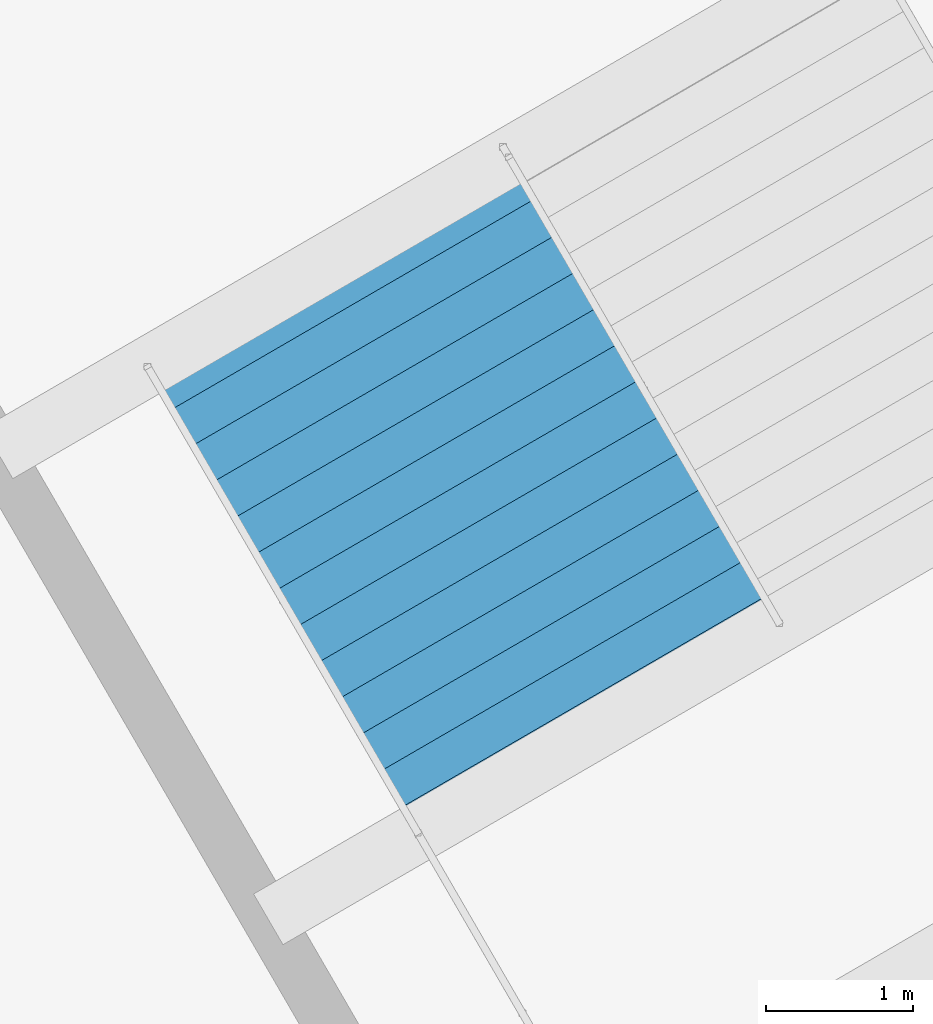
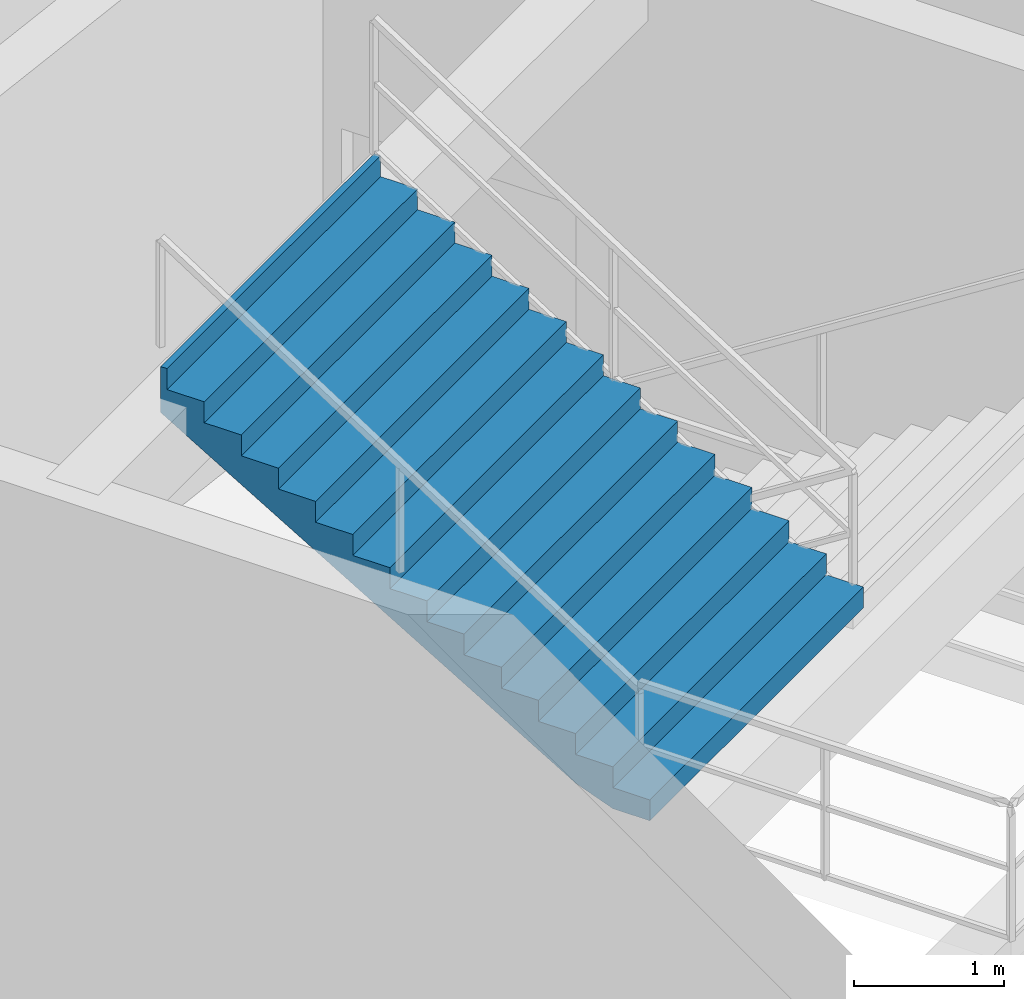
# One storey, part 118 of 156: 1 stair flight, 1 element without a shape of its own.
"""IFC4 building model written with IfcOpenShell, lengths in metres."""

from ifc_helpers import new_model, si_unit, direction, frame, origin, place, context, subcontext, project, spatial, polygons, material, type_object, element, aggregate, save


model = new_model("IFC4")

# Units and contexts
model_context = context("Model", 3, precision=1e-05, world=origin(), true_north=direction((0.0, 1.0)))
body_context = subcontext(model_context, "Body", "Model", "MODEL_VIEW")
ifc_project = project(units=[si_unit("LENGTHUNIT", "METRE"), si_unit("AREAUNIT", "SQUARE_METRE"), si_unit("VOLUMEUNIT", "CUBIC_METRE"), si_unit("PLANEANGLEUNIT", "RADIAN"), si_unit("MASSUNIT", "GRAM", prefix="KILO")], contexts=[model_context])

# Site, building, storey
site_placement = place(None, origin())
site = spatial("IfcSite", under=ifc_project, at=site_placement, CompositionType="ELEMENT")
building_placement = place(site_placement, origin())
building = spatial("IfcBuilding", under=site, at=building_placement, Name="Kazemori Nagisa Stadium", CompositionType="ELEMENT")
storey_placement = place(building_placement, frame((0.0, 0.0, 5.780029296875)))
storey = spatial("IfcBuildingStorey", under=building, at=storey_placement, Name="L01", CompositionType="ELEMENT", Elevation=5.780029296875)

# Stair, stair flight
ifc_material = material(Name="Concrete C36/45 (Fc36)", Category="concrete")
stair_type = type_object("IfcStairType", Name="Stair_CORE_28", PredefinedType="TWO_STRAIGHT_RUN_STAIR", material=ifc_material)
stair_placement = place(storey_placement, origin())
stair = element("IfcStair", 1, at=stair_placement, inside=storey, type_object=stair_type, Name="Exit stair ST09 L01", PredefinedType="TWO_STRAIGHT_RUN_STAIR")
stair_flight_type = type_object("IfcStairFlightType", Name="Flight_CORE_14", PredefinedType="STRAIGHT", material=ifc_material)
stair_flight_placement = place(storey_placement, frame((43.0439453125, 58.80322265625, 2.3798828125), z_axis=(0.0, 0.0, 1.0), x_axis=(-0.501656947, 0.865066649182, 0.0)))
stair_flight = element("IfcStairFlight", 2, at=stair_flight_placement, type_object=stair_flight_type, Name="Exit stair ST09 L01 flight 2", NumberOfRisers=14, NumberOfTreads=13, PredefinedType="STRAIGHT", RiserHeight=0.17, TreadLength=0.285, context=body_context, shape_type="Tessellation", body=[
    polygons([(0.0, -1.425048828125, 0.0), (0.0, -1.425048828125, 0.169921875), (0.284912109375, -1.425048828125, 0.169921875), (0.284912109375, -1.425048828125, 0.340087890625), (0.570068359375, -1.425048828125, 0.340087890625), (0.570068359375, -1.425048828125, 0.510009765625), (0.85498046875, -1.425048828125, 0.510009765625), (0.85498046875, -1.425048828125, 0.679931640625), (1.139892578125, -1.425048828125, 0.679931640625), (1.139892578125, -1.425048828125, 0.85009765625), (1.425048828125, -1.425048828125, 0.85009765625), (1.425048828125, -1.425048828125, 1.02001953125), (1.7099609375, -1.425048828125, 1.02001953125), (1.7099609375, -1.425048828125, 1.18994140625), (1.9951171875, -1.425048828125, 1.18994140625), (1.9951171875, -1.425048828125, 1.360107421875), (2.280029296875, -1.425048828125, 1.360107421875), (2.280029296875, -1.425048828125, 1.530029296875), (2.56494140625, -1.425048828125, 1.530029296875), (2.56494140625, -1.425048828125, 1.699951171875), (2.85009765625, -1.425048828125, 1.699951171875), (2.85009765625, -1.425048828125, 1.8701171875), (3.135009765625, -1.425048828125, 1.8701171875), (3.135009765625, -1.425048828125, 2.0400390625), (3.419921875, -1.425048828125, 2.0400390625), (3.419921875, -1.425048828125, 2.2099609375), (3.705078125, -1.425048828125, 2.2099609375), (3.705078125, -1.425048828125, 2.3798828125), (3.7548828125, -1.425048828125, 2.3798828125), (3.7548828125, -1.425048828125, 2.007080078125), (3.705078125, -1.425048828125, 1.977294921875), (3.419921875, -1.425048828125, 1.80712890625), (3.135009765625, -1.425048828125, 1.63720703125), (2.85009765625, -1.425048828125, 1.46728515625), (2.56494140625, -1.425048828125, 1.297119140625), (2.280029296875, -1.425048828125, 1.127197265625), (1.9951171875, -1.425048828125, 0.957275390625), (1.7099609375, -1.425048828125, 0.787109375), (1.425048828125, -1.425048828125, 0.6171875), (1.139892578125, -1.425048828125, 0.447265625), (0.85498046875, -1.425048828125, 0.277099609375), (0.570068359375, -1.425048828125, 0.107177734375), (0.284912109375, -1.425048828125, 0.0), (0.0, -0.08544921875, 0.0), (0.0, -0.08544921875, 0.169921875), (0.284912109375, -0.08544921875, 0.169921875), (0.284912109375, -0.08544921875, 0.340087890625), (0.570068359375, -0.08544921875, 0.340087890625), (0.570068359375, -0.08544921875, 0.510009765625), (0.85498046875, -0.08544921875, 0.510009765625), (0.85498046875, -0.08544921875, 0.679931640625), (1.139892578125, -0.08544921875, 0.679931640625), (1.139892578125, -0.08544921875, 0.85009765625), (1.425048828125, -0.08544921875, 0.85009765625), (1.425048828125, -0.08544921875, 1.02001953125), (1.7099609375, -0.08544921875, 1.02001953125), (1.7099609375, -0.08544921875, 1.18994140625), (1.9951171875, -0.08544921875, 1.18994140625), (1.9951171875, -0.08544921875, 1.360107421875), (2.280029296875, -0.08544921875, 1.360107421875), (2.280029296875, -0.08544921875, 1.530029296875), (2.56494140625, -0.08544921875, 1.530029296875), (2.56494140625, -0.08544921875, 1.699951171875), (2.85009765625, -0.08544921875, 1.699951171875), (2.85009765625, -0.08544921875, 1.8701171875), (3.135009765625, -0.08544921875, 1.8701171875), (3.135009765625, -0.08544921875, 2.0400390625), (3.419921875, -0.08544921875, 2.0400390625), (3.419921875, -0.08544921875, 2.2099609375), (3.705078125, -0.08544921875, 2.2099609375), (3.705078125, -0.08544921875, 2.3798828125), (3.7548828125, -0.08544921875, 2.3798828125), (3.7548828125, -0.08544921875, 2.007080078125), (3.705078125, -0.08544921875, 1.977294921875), (3.419921875, -0.08544921875, 1.80712890625), (3.135009765625, -0.08544921875, 1.63720703125), (2.85009765625, -0.08544921875, 1.46728515625), (2.56494140625, -0.08544921875, 1.297119140625), (2.280029296875, -0.08544921875, 1.127197265625), (1.9951171875, -0.08544921875, 0.957275390625), (1.7099609375, -0.08544921875, 0.787109375), (1.425048828125, -0.08544921875, 0.6171875), (1.139892578125, -0.08544921875, 0.447265625), (0.85498046875, -0.08544921875, 0.277099609375), (0.570068359375, -0.08544921875, 0.107177734375), (0.284912109375, -0.08544921875, 0.0), (0.0, 0.0, 0.0), (0.0, 0.0, 0.169921875), (0.284912109375, 0.0, 0.169921875), (0.284912109375, 0.0, 0.340087890625), (0.570068359375, 0.0, 0.340087890625), (0.570068359375, 0.0, 0.510009765625), (0.85498046875, 0.0, 0.510009765625), (0.85498046875, 0.0, 0.679931640625), (1.139892578125, 0.0, 0.679931640625), (1.139892578125, 0.0, 0.85009765625), (1.425048828125, 0.0, 0.85009765625), (1.425048828125, 0.0, 1.02001953125), (1.7099609375, 0.0, 1.02001953125), (1.7099609375, 0.0, 1.18994140625), (1.9951171875, 0.0, 1.18994140625), (1.9951171875, 0.0, 1.360107421875), (2.280029296875, 0.0, 1.360107421875), (2.280029296875, 0.0, 1.530029296875), (2.56494140625, 0.0, 1.530029296875), (2.56494140625, 0.0, 1.699951171875), (2.85009765625, 0.0, 1.699951171875), (2.85009765625, 0.0, 1.8701171875), (3.135009765625, 0.0, 1.8701171875), (3.135009765625, 0.0, 2.0400390625), (3.419921875, 0.0, 2.0400390625), (3.419921875, 0.0, 2.2099609375), (3.705078125, 0.0, 2.2099609375), (3.705078125, 0.0, 2.3798828125), (3.7548828125, 0.0, 2.3798828125), (3.7548828125, 0.0, 2.007080078125), (3.705078125, 0.0, 1.977294921875), (3.419921875, 0.0, 1.80712890625), (3.135009765625, 0.0, 1.63720703125), (2.85009765625, 0.0, 1.46728515625), (2.56494140625, 0.0, 1.297119140625), (2.280029296875, 0.0, 1.127197265625), (1.9951171875, 0.0, 0.957275390625), (1.7099609375, 0.0, 0.787109375), (1.425048828125, 0.0, 0.6171875), (1.139892578125, 0.0, 0.447265625), (0.85498046875, 0.0, 0.277099609375), (0.570068359375, 0.0, 0.107177734375), (0.284912109375, 0.0, 0.0), (0.0, 0.08544921875, 0.0), (0.0, 0.08544921875, 0.169921875), (0.284912109375, 0.08544921875, 0.169921875), (0.284912109375, 0.08544921875, 0.340087890625), (0.570068359375, 0.08544921875, 0.340087890625), (0.570068359375, 0.08544921875, 0.510009765625), (0.85498046875, 0.08544921875, 0.510009765625), (0.85498046875, 0.08544921875, 0.679931640625), (1.139892578125, 0.08544921875, 0.679931640625), (1.139892578125, 0.08544921875, 0.85009765625), (1.425048828125, 0.08544921875, 0.85009765625), (1.425048828125, 0.08544921875, 1.02001953125), (1.7099609375, 0.08544921875, 1.02001953125), (1.7099609375, 0.08544921875, 1.18994140625), (1.9951171875, 0.08544921875, 1.18994140625), (1.9951171875, 0.08544921875, 1.360107421875), (2.280029296875, 0.08544921875, 1.360107421875), (2.280029296875, 0.08544921875, 1.530029296875), (2.56494140625, 0.08544921875, 1.530029296875), (2.56494140625, 0.08544921875, 1.699951171875), (2.85009765625, 0.08544921875, 1.699951171875), (2.85009765625, 0.08544921875, 1.8701171875), (3.135009765625, 0.08544921875, 1.8701171875), (3.135009765625, 0.08544921875, 2.0400390625), (3.419921875, 0.08544921875, 2.0400390625), (3.419921875, 0.08544921875, 2.2099609375), (3.705078125, 0.08544921875, 2.2099609375), (3.705078125, 0.08544921875, 2.3798828125), (3.7548828125, 0.08544921875, 2.3798828125), (3.7548828125, 0.08544921875, 2.007080078125), (3.705078125, 0.08544921875, 1.977294921875), (3.419921875, 0.08544921875, 1.80712890625), (3.135009765625, 0.08544921875, 1.63720703125), (2.85009765625, 0.08544921875, 1.46728515625), (2.56494140625, 0.08544921875, 1.297119140625), (2.280029296875, 0.08544921875, 1.127197265625), (1.9951171875, 0.08544921875, 0.957275390625), (1.7099609375, 0.08544921875, 0.787109375), (1.425048828125, 0.08544921875, 0.6171875), (1.139892578125, 0.08544921875, 0.447265625), (0.85498046875, 0.08544921875, 0.277099609375), (0.570068359375, 0.08544921875, 0.107177734375), (0.284912109375, 0.08544921875, 0.0), (0.0, 1.425048828125, 0.0), (0.0, 1.425048828125, 0.169921875), (0.284912109375, 1.425048828125, 0.169921875), (0.284912109375, 1.425048828125, 0.340087890625), (0.570068359375, 1.425048828125, 0.340087890625), (0.570068359375, 1.425048828125, 0.510009765625), (0.85498046875, 1.425048828125, 0.510009765625), (0.85498046875, 1.425048828125, 0.679931640625), (1.139892578125, 1.425048828125, 0.679931640625), (1.139892578125, 1.425048828125, 0.85009765625), (1.425048828125, 1.425048828125, 0.85009765625), (1.425048828125, 1.425048828125, 1.02001953125), (1.7099609375, 1.425048828125, 1.02001953125), (1.7099609375, 1.425048828125, 1.18994140625), (1.9951171875, 1.425048828125, 1.18994140625), (1.9951171875, 1.425048828125, 1.360107421875), (2.280029296875, 1.425048828125, 1.360107421875), (2.280029296875, 1.425048828125, 1.530029296875), (2.56494140625, 1.425048828125, 1.530029296875), (2.56494140625, 1.425048828125, 1.699951171875), (2.85009765625, 1.425048828125, 1.699951171875), (2.85009765625, 1.425048828125, 1.8701171875), (3.135009765625, 1.425048828125, 1.8701171875), (3.135009765625, 1.425048828125, 2.0400390625), (3.419921875, 1.425048828125, 2.0400390625), (3.419921875, 1.425048828125, 2.2099609375), (3.705078125, 1.425048828125, 2.2099609375), (3.705078125, 1.425048828125, 2.3798828125), (3.7548828125, 1.425048828125, 2.3798828125), (3.7548828125, 1.425048828125, 2.007080078125), (3.705078125, 1.425048828125, 1.977294921875), (3.419921875, 1.425048828125, 1.80712890625), (3.135009765625, 1.425048828125, 1.63720703125), (2.85009765625, 1.425048828125, 1.46728515625), (2.56494140625, 1.425048828125, 1.297119140625), (2.280029296875, 1.425048828125, 1.127197265625), (1.9951171875, 1.425048828125, 0.957275390625), (1.7099609375, 1.425048828125, 0.787109375), (1.425048828125, 1.425048828125, 0.6171875), (1.139892578125, 1.425048828125, 0.447265625), (0.85498046875, 1.425048828125, 0.277099609375), (0.570068359375, 1.425048828125, 0.107177734375), (0.284912109375, 1.425048828125, 0.0)], [[[1, 2, 45]], [[1, 45, 44]], [[2, 3, 46]], [[2, 46, 45]], [[3, 4, 47]], [[3, 47, 46]], [[4, 5, 48]], [[4, 48, 47]], [[5, 6, 49]], [[5, 49, 48]], [[6, 7, 50]], [[6, 50, 49]], [[7, 8, 51]], [[7, 51, 50]], [[8, 9, 52]], [[8, 52, 51]], [[9, 10, 53]], [[9, 53, 52]], [[10, 11, 54]], [[10, 54, 53]], [[11, 12, 55]], [[11, 55, 54]], [[12, 13, 56]], [[12, 56, 55]], [[13, 14, 57]], [[13, 57, 56]], [[14, 15, 58]], [[14, 58, 57]], [[15, 16, 59]], [[15, 59, 58]], [[16, 17, 60]], [[16, 60, 59]], [[17, 18, 61]], [[17, 61, 60]], [[18, 19, 62]], [[18, 62, 61]], [[19, 20, 63]], [[19, 63, 62]], [[20, 21, 64]], [[20, 64, 63]], [[21, 22, 65]], [[21, 65, 64]], [[22, 23, 66]], [[22, 66, 65]], [[23, 24, 67]], [[23, 67, 66]], [[24, 25, 68]], [[24, 68, 67]], [[25, 26, 69]], [[25, 69, 68]], [[26, 27, 70]], [[26, 70, 69]], [[27, 28, 71]], [[27, 71, 70]], [[28, 29, 72]], [[28, 72, 71]], [[29, 30, 73]], [[29, 73, 72]], [[30, 31, 74]], [[30, 74, 73]], [[31, 32, 75]], [[31, 75, 74]], [[32, 33, 76]], [[32, 76, 75]], [[33, 34, 77]], [[33, 77, 76]], [[34, 35, 78]], [[34, 78, 77]], [[35, 36, 79]], [[35, 79, 78]], [[36, 37, 80]], [[36, 80, 79]], [[37, 38, 81]], [[37, 81, 80]], [[38, 39, 82]], [[38, 82, 81]], [[39, 40, 83]], [[39, 83, 82]], [[40, 41, 84]], [[40, 84, 83]], [[41, 42, 85]], [[41, 85, 84]], [[42, 43, 86]], [[42, 86, 85]], [[43, 1, 44]], [[43, 44, 86]], [[44, 45, 88]], [[44, 88, 87]], [[45, 46, 89]], [[45, 89, 88]], [[46, 47, 90]], [[46, 90, 89]], [[47, 48, 91]], [[47, 91, 90]], [[48, 49, 92]], [[48, 92, 91]], [[49, 50, 93]], [[49, 93, 92]], [[50, 51, 94]], [[50, 94, 93]], [[51, 52, 95]], [[51, 95, 94]], [[52, 53, 96]], [[52, 96, 95]], [[53, 54, 97]], [[53, 97, 96]], [[54, 55, 98]], [[54, 98, 97]], [[55, 56, 99]], [[55, 99, 98]], [[56, 57, 100]], [[56, 100, 99]], [[57, 58, 101]], [[57, 101, 100]], [[58, 59, 102]], [[58, 102, 101]], [[59, 60, 103]], [[59, 103, 102]], [[60, 61, 104]], [[60, 104, 103]], [[61, 62, 105]], [[61, 105, 104]], [[62, 63, 106]], [[62, 106, 105]], [[63, 64, 107]], [[63, 107, 106]], [[64, 65, 108]], [[64, 108, 107]], [[65, 66, 109]], [[65, 109, 108]], [[66, 67, 110]], [[66, 110, 109]], [[67, 68, 111]], [[67, 111, 110]], [[68, 69, 112]], [[68, 112, 111]], [[69, 70, 113]], [[69, 113, 112]], [[70, 71, 114]], [[70, 114, 113]], [[71, 72, 115]], [[71, 115, 114]], [[72, 73, 116]], [[72, 116, 115]], [[73, 74, 117]], [[73, 117, 116]], [[74, 75, 118]], [[74, 118, 117]], [[75, 76, 119]], [[75, 119, 118]], [[76, 77, 120]], [[76, 120, 119]], [[77, 78, 121]], [[77, 121, 120]], [[78, 79, 122]], [[78, 122, 121]], [[79, 80, 123]], [[79, 123, 122]], [[80, 81, 124]], [[80, 124, 123]], [[81, 82, 125]], [[81, 125, 124]], [[82, 83, 126]], [[82, 126, 125]], [[83, 84, 127]], [[83, 127, 126]], [[84, 85, 128]], [[84, 128, 127]], [[85, 86, 129]], [[85, 129, 128]], [[86, 44, 87]], [[86, 87, 129]], [[87, 88, 131]], [[87, 131, 130]], [[88, 89, 132]], [[88, 132, 131]], [[89, 90, 133]], [[89, 133, 132]], [[90, 91, 134]], [[90, 134, 133]], [[91, 92, 135]], [[91, 135, 134]], [[92, 93, 136]], [[92, 136, 135]], [[93, 94, 137]], [[93, 137, 136]], [[94, 95, 138]], [[94, 138, 137]], [[95, 96, 139]], [[95, 139, 138]], [[96, 97, 140]], [[96, 140, 139]], [[97, 98, 141]], [[97, 141, 140]], [[98, 99, 142]], [[98, 142, 141]], [[99, 100, 143]], [[99, 143, 142]], [[100, 101, 144]], [[100, 144, 143]], [[101, 102, 145]], [[101, 145, 144]], [[102, 103, 146]], [[102, 146, 145]], [[103, 104, 147]], [[103, 147, 146]], [[104, 105, 148]], [[104, 148, 147]], [[105, 106, 149]], [[105, 149, 148]], [[106, 107, 150]], [[106, 150, 149]], [[107, 108, 151]], [[107, 151, 150]], [[108, 109, 152]], [[108, 152, 151]], [[109, 110, 153]], [[109, 153, 152]], [[110, 111, 154]], [[110, 154, 153]], [[111, 112, 155]], [[111, 155, 154]], [[112, 113, 156]], [[112, 156, 155]], [[113, 114, 157]], [[113, 157, 156]], [[114, 115, 158]], [[114, 158, 157]], [[115, 116, 159]], [[115, 159, 158]], [[116, 117, 160]], [[116, 160, 159]], [[117, 118, 161]], [[117, 161, 160]], [[118, 119, 162]], [[118, 162, 161]], [[119, 120, 163]], [[119, 163, 162]], [[120, 121, 164]], [[120, 164, 163]], [[121, 122, 165]], [[121, 165, 164]], [[122, 123, 166]], [[122, 166, 165]], [[123, 124, 167]], [[123, 167, 166]], [[124, 125, 168]], [[124, 168, 167]], [[125, 126, 169]], [[125, 169, 168]], [[126, 127, 170]], [[126, 170, 169]], [[127, 128, 171]], [[127, 171, 170]], [[128, 129, 172]], [[128, 172, 171]], [[129, 87, 130]], [[129, 130, 172]], [[130, 131, 174]], [[130, 174, 173]], [[131, 132, 175]], [[131, 175, 174]], [[132, 133, 176]], [[132, 176, 175]], [[133, 134, 177]], [[133, 177, 176]], [[134, 135, 178]], [[134, 178, 177]], [[135, 136, 179]], [[135, 179, 178]], [[136, 137, 180]], [[136, 180, 179]], [[137, 138, 181]], [[137, 181, 180]], [[138, 139, 182]], [[138, 182, 181]], [[139, 140, 183]], [[139, 183, 182]], [[140, 141, 184]], [[140, 184, 183]], [[141, 142, 185]], [[141, 185, 184]], [[142, 143, 186]], [[142, 186, 185]], [[143, 144, 187]], [[143, 187, 186]], [[144, 145, 188]], [[144, 188, 187]], [[145, 146, 189]], [[145, 189, 188]], [[146, 147, 190]], [[146, 190, 189]], [[147, 148, 191]], [[147, 191, 190]], [[148, 149, 192]], [[148, 192, 191]], [[149, 150, 193]], [[149, 193, 192]], [[150, 151, 194]], [[150, 194, 193]], [[151, 152, 195]], [[151, 195, 194]], [[152, 153, 196]], [[152, 196, 195]], [[153, 154, 197]], [[153, 197, 196]], [[154, 155, 198]], [[154, 198, 197]], [[155, 156, 199]], [[155, 199, 198]], [[156, 157, 200]], [[156, 200, 199]], [[157, 158, 201]], [[157, 201, 200]], [[158, 159, 202]], [[158, 202, 201]], [[159, 160, 203]], [[159, 203, 202]], [[160, 161, 204]], [[160, 204, 203]], [[161, 162, 205]], [[161, 205, 204]], [[162, 163, 206]], [[162, 206, 205]], [[163, 164, 207]], [[163, 207, 206]], [[164, 165, 208]], [[164, 208, 207]], [[165, 166, 209]], [[165, 209, 208]], [[166, 167, 210]], [[166, 210, 209]], [[167, 168, 211]], [[167, 211, 210]], [[168, 169, 212]], [[168, 212, 211]], [[169, 170, 213]], [[169, 213, 212]], [[170, 171, 214]], [[170, 214, 213]], [[171, 172, 215]], [[171, 215, 214]], [[172, 130, 173]], [[172, 173, 215]], [[3, 2, 1]], [[173, 174, 175]], [[43, 3, 1]], [[173, 175, 215]], [[42, 3, 43]], [[215, 175, 214]], [[5, 3, 42]], [[214, 175, 177]], [[5, 4, 3]], [[175, 176, 177]], [[41, 5, 42]], [[214, 177, 213]], [[7, 5, 41]], [[213, 177, 179]], [[7, 6, 5]], [[177, 178, 179]], [[40, 7, 41]], [[213, 179, 212]], [[9, 7, 40]], [[212, 179, 181]], [[9, 8, 7]], [[179, 180, 181]], [[39, 9, 40]], [[212, 181, 211]], [[11, 9, 39]], [[211, 181, 183]], [[11, 10, 9]], [[181, 182, 183]], [[38, 11, 39]], [[211, 183, 210]], [[13, 11, 38]], [[210, 183, 185]], [[13, 12, 11]], [[183, 184, 185]], [[37, 13, 38]], [[210, 185, 209]], [[15, 13, 37]], [[209, 185, 187]], [[15, 14, 13]], [[185, 186, 187]], [[36, 15, 37]], [[209, 187, 208]], [[17, 15, 36]], [[208, 187, 189]], [[17, 16, 15]], [[187, 188, 189]], [[35, 17, 36]], [[208, 189, 207]], [[19, 17, 35]], [[207, 189, 191]], [[19, 18, 17]], [[189, 190, 191]], [[34, 19, 35]], [[207, 191, 206]], [[21, 19, 34]], [[206, 191, 193]], [[21, 20, 19]], [[191, 192, 193]], [[33, 21, 34]], [[206, 193, 205]], [[23, 21, 33]], [[205, 193, 195]], [[23, 22, 21]], [[193, 194, 195]], [[32, 23, 33]], [[205, 195, 204]], [[25, 23, 32]], [[204, 195, 197]], [[25, 24, 23]], [[195, 196, 197]], [[31, 25, 32]], [[204, 197, 203]], [[27, 25, 31]], [[203, 197, 199]], [[27, 26, 25]], [[197, 198, 199]], [[30, 27, 31]], [[203, 199, 202]], [[29, 27, 30]], [[202, 199, 201]], [[29, 28, 27]], [[199, 200, 201]]], closed=True),
])
aggregate(stair, [stair_flight])

save(model, "model.ifc")
